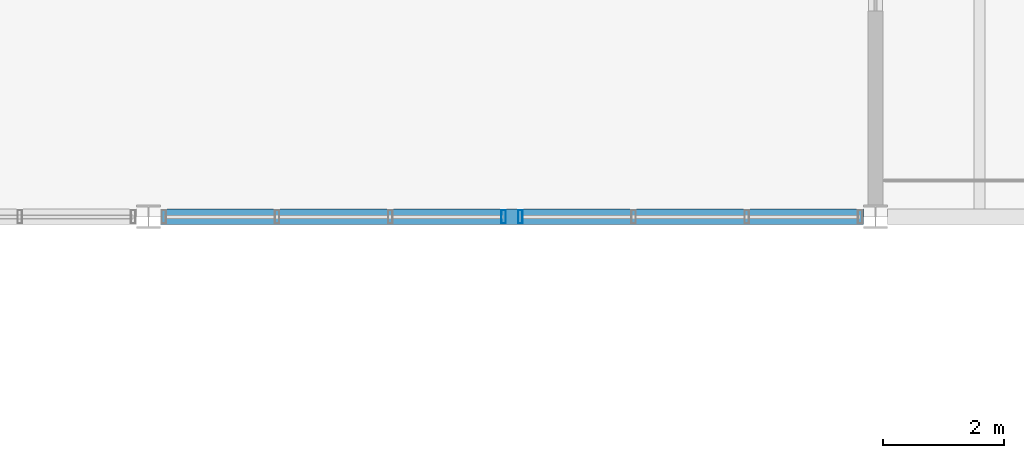
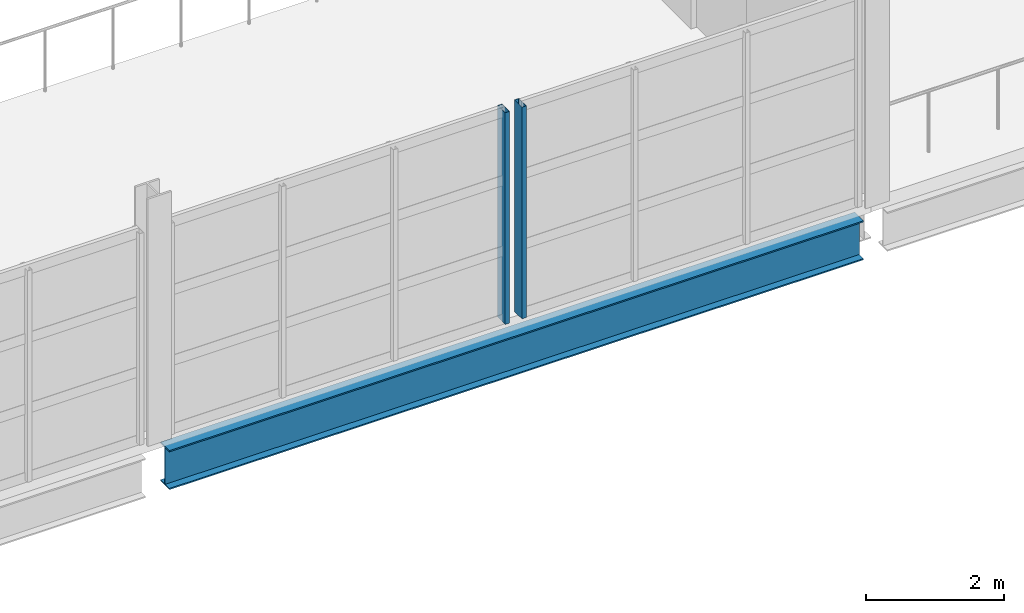
# One storey, part 16 of 78: 2 members, 1 beam, 2 elements without a shape of their own.
"""IFC4 building model written with IfcOpenShell, lengths in metres."""

from ifc_helpers import new_model, si_unit, direction, frame, origin, origin_2d, place, context, subcontext, project, spatial, hollow_rectangle, i_section, extrude, material, material_profile, profile_set, type_object, element, aggregate, save


model = new_model("IFC4")

# Units and contexts
model_context = context("Model", 3, precision=1e-05, world=origin(), true_north=direction((0.0, 1.0)))
body_context = subcontext(model_context, "Body", "Model", "MODEL_VIEW")
ifc_project = project(units=[si_unit("LENGTHUNIT", "METRE"), si_unit("AREAUNIT", "SQUARE_METRE"), si_unit("VOLUMEUNIT", "CUBIC_METRE"), si_unit("PLANEANGLEUNIT", "RADIAN"), si_unit("MASSUNIT", "GRAM", prefix="KILO")], contexts=[model_context])

# Site, building, storey
site_placement = place(None, origin())
site = spatial("IfcSite", under=ifc_project, at=site_placement, CompositionType="ELEMENT")
building_placement = place(site_placement, origin())
building = spatial("IfcBuilding", under=site, at=building_placement, Name="Kelmvaro Bay Concert Hall", CompositionType="ELEMENT")
storey_placement = place(building_placement, frame((0.0, 0.0, 9.300048828125)))
storey = spatial("IfcBuildingStorey", under=building, at=storey_placement, Name="L02", CompositionType="ELEMENT", Elevation=9.300048828125)

# Curtain wall, member
ifc_material_1 = material(Name="Anodised Aluminium and Low-E Insulated Glazing", Category="aluminium")
curtain_wall_type = type_object("IfcCurtainWallType", Name="Upper Salon Waterfront Curtain Wall 4050", PredefinedType="USERDEFINED", material=ifc_material_1)
curtain_wall_1_placement = place(storey_placement, origin())
curtain_wall_1 = element("IfcCurtainWall", 1, at=curtain_wall_1_placement, inside=storey, type_object=curtain_wall_type, Name="Unitised Curtain Wall CW-L02-080", ObjectType="UNITISED GLAZING", PredefinedType="USERDEFINED")
ifc_material_2 = material(Name="Anodised Extruded Aluminium 6063-T6", Category="aluminium")
ifc_material_profile_1 = material_profile(ifc_material_2, hollow_rectangle(XDim=0.074951171875, YDim=0.219970703125, WallThickness=0.00439453125, at=origin_2d()), Name="ALU-MUL-220X75")
ifc_profile_set_1 = profile_set([ifc_material_profile_1], Name="Anodised Extruded Aluminium 6063-T6")
member_type = type_object("IfcMemberType", Name="Curtain Mullion Heavy ALU 220x75", PredefinedType="MULLION", material=ifc_profile_set_1)
member_1_placement = place(storey_placement, frame((77.860107421875, 7.199951171875, 0.0), z_axis=(0.0, 0.0, 1.0), x_axis=(1.0, 0.0, 0.0)))
member_1 = element("IfcMember", 2, at=member_1_placement, type_object=member_type, Name="CW-L02-080 Mullion 01", PredefinedType="MULLION", context=body_context, shape_type="SweptSolid", body=[
    extrude(hollow_rectangle(XDim=0.074951171875, YDim=0.219970703125, WallThickness=0.00439453125, at=origin_2d()), origin(), (0.0, 0.0, 1.0), 3.739013671875),
])
aggregate(curtain_wall_1, [member_1])

curtain_wall_2_placement = place(storey_placement, origin())
curtain_wall_2 = element("IfcCurtainWall", 3, at=curtain_wall_2_placement, inside=storey, type_object=curtain_wall_type, Name="Unitised Curtain Wall CW-L02-081", ObjectType="UNITISED GLAZING", PredefinedType="USERDEFINED")
member_2_placement = place(storey_placement, frame((78.139892578125, 7.199951171875, 0.0), z_axis=(0.0, 0.0, 1.0), x_axis=(1.0, 0.0, 0.0)))
member_2 = element("IfcMember", 4, at=member_2_placement, type_object=member_type, Name="CW-L02-081 Mullion 04", PredefinedType="MULLION", context=body_context, shape_type="SweptSolid", body=[
    extrude(hollow_rectangle(XDim=0.074951171875, YDim=0.219970703125, WallThickness=0.00439453125, at=origin_2d()), origin(), (0.0, 0.0, 1.0), 3.739013671875),
])
aggregate(curtain_wall_2, [member_2])

# Beam
ifc_material_3 = material(Name="Steel ASTM A992 Grade 50", Category="steel")
ifc_material_profile_2 = material_profile(ifc_material_3, i_section(OverallWidth=0.256103515625, OverallDepth=0.693115234375, WebThickness=0.014404296875, FlangeThickness=0.023681640625, at=origin_2d()), Name="W27X114")
ifc_profile_set_2 = profile_set([ifc_material_profile_2], Name="Steel ASTM A992 Grade 50")
beam_type = type_object("IfcBeamType", Name="Foyer Primary Girder W27x114", PredefinedType="BEAM", material=ifc_profile_set_2)
beam_placement = place(storey_placement, frame((72.199462890625, 7.199951171875, -0.596435546875), z_axis=(1.0, 0.0, 0.0), x_axis=(0.0, 1.0, 0.0)))
element("IfcBeam", 5, at=beam_placement, inside=storey, type_object=beam_type, Name="L02 Girder BM-L02-EW-0689", PredefinedType="BEAM", context=body_context, shape_type="SweptSolid", body=[
    extrude(i_section(OverallWidth=0.256103515625, OverallDepth=0.693115234375, WebThickness=0.014404296875, FlangeThickness=0.023681640625, at=origin_2d()), origin(), (0.0, 0.0, 1.0), 11.60107421875),
])

save(model, "model.ifc")
